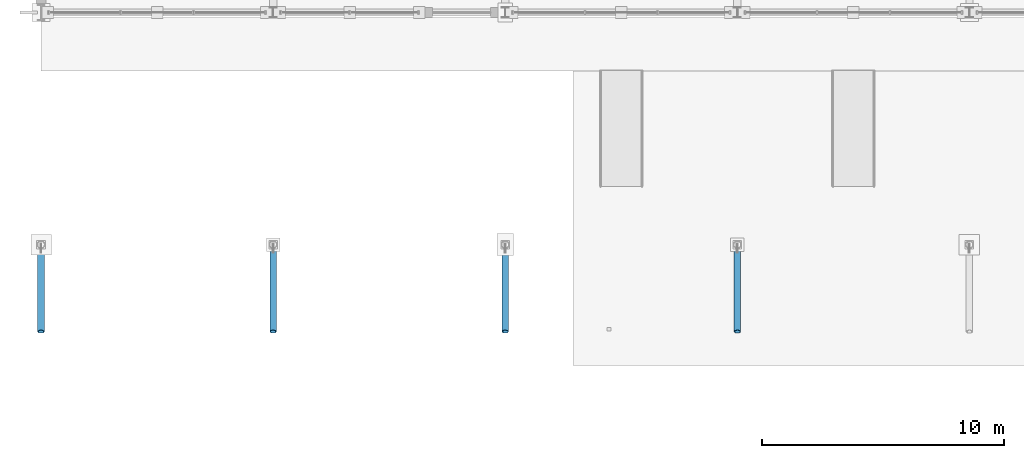
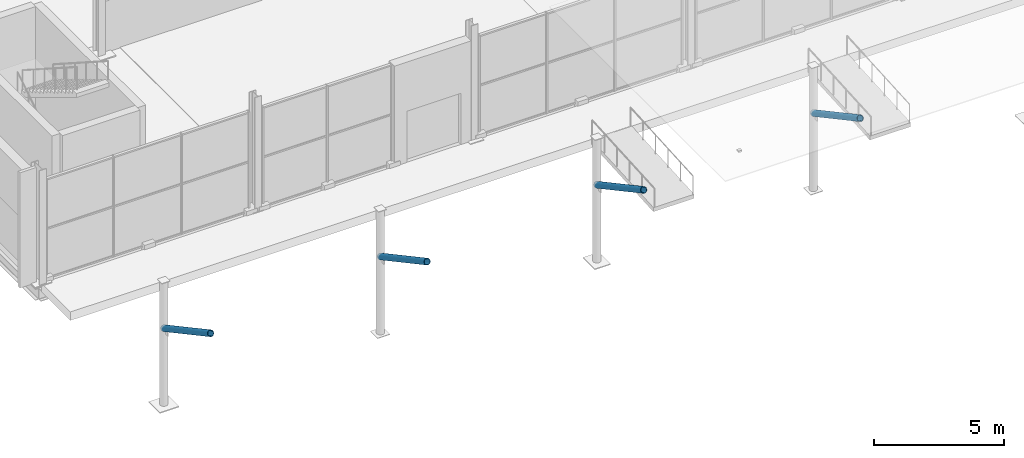
# One storey, part 25 of 196: 4 members.
"""IFC4 building model written with IfcOpenShell, lengths in metres."""

from ifc_helpers import new_model, si_unit, direction, frame, origin, origin_2d, place, context, subcontext, project, spatial, hollow_circle, extrude, material, material_profile, profile_set, type_object, element, save


model = new_model("IFC4")

# Units and contexts
model_context = context("Model", 3, precision=1e-05, world=origin(), true_north=direction((0.0, 1.0)))
body_context = subcontext(model_context, "Body", "Model", "MODEL_VIEW")
ifc_project = project(units=[si_unit("LENGTHUNIT", "METRE"), si_unit("AREAUNIT", "SQUARE_METRE"), si_unit("VOLUMEUNIT", "CUBIC_METRE"), si_unit("PLANEANGLEUNIT", "RADIAN"), si_unit("MASSUNIT", "GRAM", prefix="KILO")], contexts=[model_context])

# Site, building, storey
site_placement = place(None, origin())
site = spatial("IfcSite", under=ifc_project, at=site_placement, CompositionType="ELEMENT")
building_placement = place(site_placement, origin())
building = spatial("IfcBuilding", under=site, at=building_placement, Name="Merenkruunu Market Hall", CompositionType="ELEMENT")
storey_placement = place(building_placement, origin())
storey = spatial("IfcBuildingStorey", under=building, at=storey_placement, Name="L00", CompositionType="ELEMENT", Elevation=0.0)

# Members
ifc_material = material(Name="Steel S355ML", Category="steel")
ifc_material_profile = material_profile(ifc_material, hollow_circle(Radius=0.136474609375, WallThickness=0.012451171875, at=origin_2d()), Name="CHS 273x12.5")
ifc_profile_set = profile_set([ifc_material_profile], Name="Steel S355ML")
member_type = type_object("IfcMemberType", Name="Diagonal Sway Brace BR02", PredefinedType="BRACE", material=ifc_profile_set)
for number, where, z_axis, x_axis, name in (
    (1, (0.0, 6.0, 3.60009765625), (0.0, -0.880325370235, 0.474370364294), (1.0, 0.0, 0.0), "MEM-V6-STRUT-000"),
    (2, (9.60009765625, 6.0, 3.60009765625), (0.0, -0.880325370235, 0.474370364294), (1.0, 0.0, 0.0), "MEM-V6-STRUT-010"),
    (3, (19.199951171875, 6.0, 3.60009765625), (0.0, -0.880325370235, 0.474370364294), (1.0, 0.0, 0.0), "MEM-V6-STRUT-019"),
    (4, (28.800048828125, 6.0, 3.60009765625), (0.0, -0.880325370235, 0.474370364294), (1.0, 0.0, 0.0), "MEM-V6-STRUT-029"),
):
    element("IfcMember", number, at=place(storey_placement, frame(where, z_axis=z_axis, x_axis=x_axis)), inside=storey, type_object=member_type, Name=name, PredefinedType="BRACE", context=body_context, shape_type="SweptSolid", body=[
        extrude(hollow_circle(Radius=0.136474609375, WallThickness=0.012451171875, at=origin_2d()), origin(), (0.0, 0.0, 1.0), 4.089599609375),
    ])

save(model, "model.ifc")
